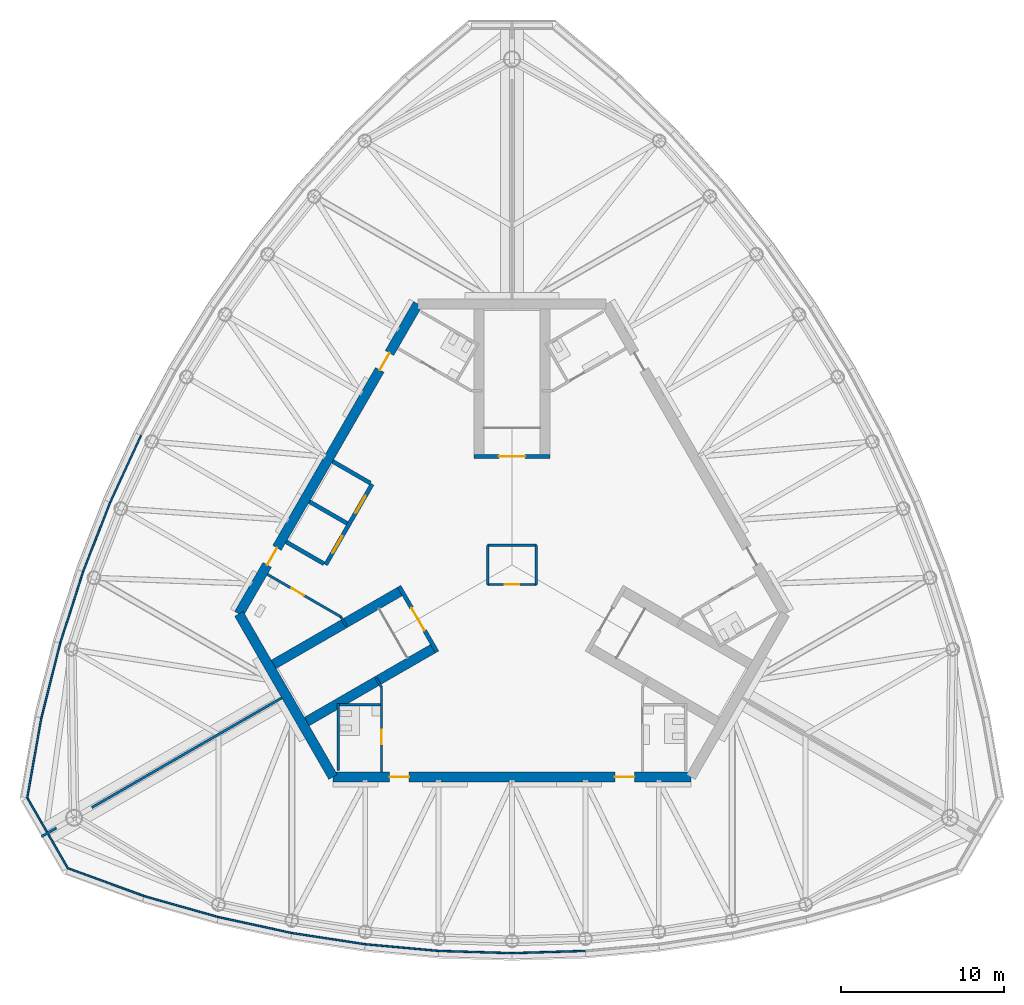
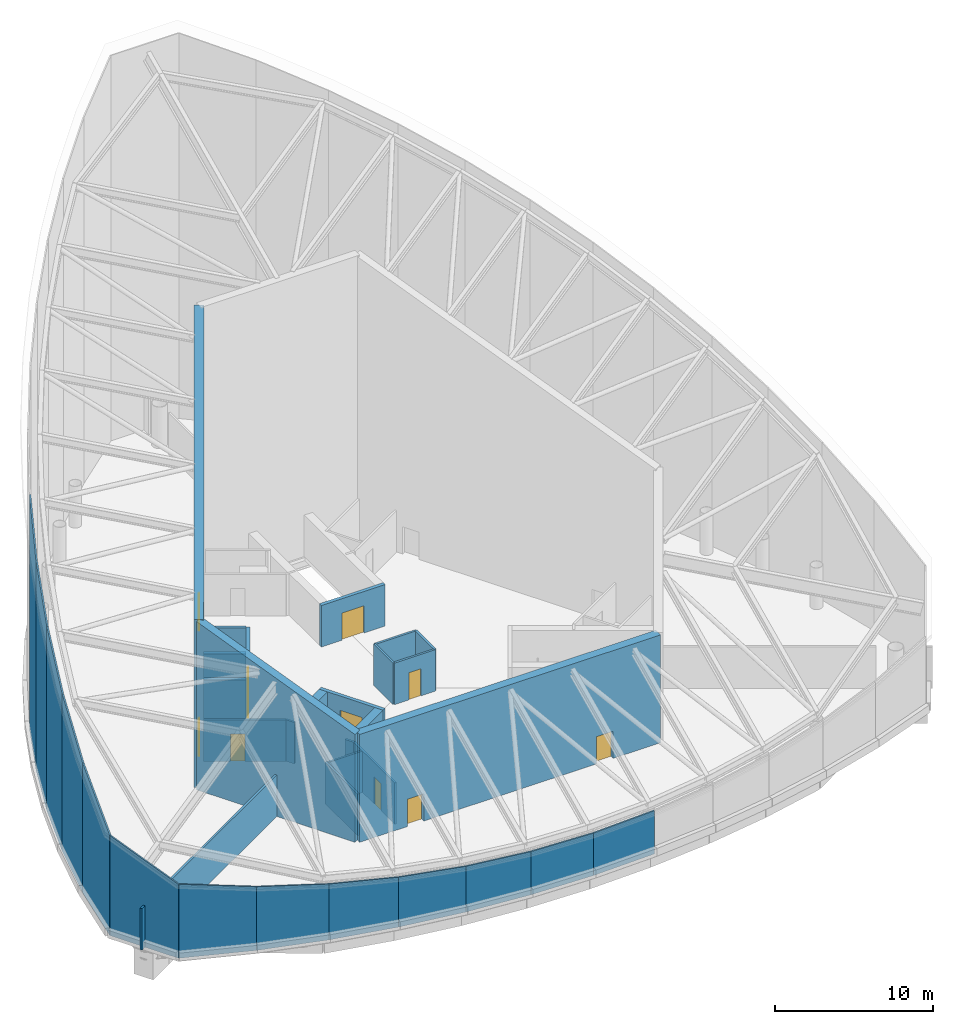
# One storey, part 5 of 10: 36 walls, 11 doors, 11 openings.
"""IFC4 building model written with IfcOpenShell, lengths in metres."""

from ifc_helpers import new_model, si_unit, direction, frame, frame_2d, origin, place, context, subcontext, project, spatial, polyline, rectangle, outline, extrude, material, layer, layer_set, type_object, element, fill, save


model = new_model("IFC4")

# Units and contexts
model_context = context("Model", 3, precision=1e-05, world=origin(), true_north=direction((0.0, 1.0)))
body_context = subcontext(model_context, "Body", "Model", "MODEL_VIEW")
ifc_project = project(units=[si_unit("LENGTHUNIT", "METRE"), si_unit("AREAUNIT", "SQUARE_METRE"), si_unit("VOLUMEUNIT", "CUBIC_METRE"), si_unit("PLANEANGLEUNIT", "RADIAN"), si_unit("MASSUNIT", "GRAM", prefix="KILO")], contexts=[model_context])

# Site, building, storey
site_placement = place(None, origin())
site = spatial("IfcSite", under=ifc_project, at=site_placement, CompositionType="ELEMENT")
building_placement = place(site_placement, origin())
building = spatial("IfcBuilding", under=site, at=building_placement, Name="Trefoil Bronze Tower", CompositionType="ELEMENT")
storey_placement = place(building_placement, frame((0.0, 0.0, 328.5)))
storey = spatial("IfcBuildingStorey", under=building, at=storey_placement, Name="RF", CompositionType="ELEMENT", Elevation=328.5)

# Wall, openings, doors
ifc_material_1 = material(Name="Concrete B80", Category="concrete")
ifc_layer_1 = layer(ifc_material_1, 0.60009765625)
ifc_layer_set_1 = layer_set([ifc_layer_1], Name="Core wall 600")
wall_type_1 = type_object("IfcWallType", Name="Core wall 600", PredefinedType="SHEAR", material=ifc_layer_set_1)
wall_1_placement = place(storey_placement, frame((-10.9697265625, -13.0, 0.0), z_axis=(0.0, 0.0, 1.0), x_axis=(1.0, 0.0, 0.0)))
wall_1 = element("IfcWall", 1, at=wall_1_placement, inside=storey, type_object=wall_type_1, Name="Core long wall 1 RF", PredefinedType="SHEAR", context=body_context, shape_type="SweptSolid", body=[
    extrude(outline(polyline([(0.0, 0.0), (21.939453125, 0.0), (21.939208984375, 8.310302734375), (0.0, 8.310302734375), (0.0, 0.0)])), frame((0.0, 0.300048828125, 0.0), z_axis=(0.0, -1.0, 0.0), x_axis=(1.0, 0.0, 0.0)), (0.0, 0.0, 1.0), 0.60009765625),
])
opening_1_placement = place(wall_1_placement, frame((17.269775390625, 0.0, 0.0)))
opening_1 = element("IfcOpeningElement", 2, at=opening_1_placement, cuts=wall_1, Name="Opening D2", PredefinedType="OPENING", context=body_context, shape_type="SweptSolid", body=[
    extrude(rectangle(XDim=1.199951171875, YDim=2.10009765625, at=frame_2d((0.60009765625, 1.050048828125))), frame((0.0, 0.31005859375, 0.0), z_axis=(0.0, -1.0, 0.0), x_axis=(1.0, 0.0, 0.0)), (0.0, 0.0, 1.0), 0.6201171875),
])
opening_2_placement = place(wall_1_placement, frame((3.4697265625, 0.0, 0.0)))
opening_2 = element("IfcOpeningElement", 3, at=opening_2_placement, cuts=wall_1, Name="Opening D2", PredefinedType="OPENING", context=body_context, shape_type="SweptSolid", body=[
    extrude(rectangle(XDim=1.199951171875, YDim=2.10009765625, at=frame_2d((0.60009765625, 1.050048828125))), frame((0.0, 0.31005859375, 0.0), z_axis=(0.0, -1.0, 0.0), x_axis=(1.0, 0.0, 0.0)), (0.0, 0.0, 1.0), 0.6201171875),
])
ifc_material_2 = material(Name="Steel door", Category="steel")
door_type_1 = type_object("IfcDoorType", Name="Lobby door 1200", OperationType="SINGLE_SWING_RIGHT", PredefinedType="DOOR", material=ifc_material_2)
door_1_placement = place(opening_1_placement, origin())
door_1 = element("IfcDoor", 4, at=door_1_placement, inside=storey, type_object=door_type_1, Name="Lobby door F1+ RF", OperationType="SINGLE_SWING_RIGHT", OverallHeight=2.10009765625, OverallWidth=1.199951171875, PredefinedType="DOOR", context=body_context, shape_type="SweptSolid", body=[
    extrude(rectangle(XDim=1.199951171875, YDim=2.10009765625, at=frame_2d((0.60009765625, 1.050048828125))), frame((0.0, 0.02490234375, 0.0), z_axis=(0.0, -1.0, 0.0), x_axis=(1.0, 0.0, 0.0)), (0.0, 0.0, 1.0), 0.050048828125),
])
fill(opening_1, door_1)
door_2_placement = place(opening_2_placement, origin())
door_2 = element("IfcDoor", 5, at=door_2_placement, inside=storey, type_object=door_type_1, Name="Lobby door F1- RF", OperationType="SINGLE_SWING_LEFT", OverallHeight=2.10009765625, OverallWidth=1.199951171875, PredefinedType="DOOR", context=body_context, shape_type="SweptSolid", body=[
    extrude(rectangle(XDim=1.199951171875, YDim=2.10009765625, at=frame_2d((0.60009765625, 1.050048828125))), frame((0.0, 0.02490234375, 0.0), z_axis=(0.0, -1.0, 0.0), x_axis=(1.0, 0.0, 0.0)), (0.0, 0.0, 1.0), 0.050048828125),
])
fill(opening_2, door_2)

wall_2_placement = place(storey_placement, frame((-5.7734375, 16.0, 0.0), z_axis=(0.0, 0.0, 1.0), x_axis=(-0.500002442456, -0.866023993627, 0.0)))
wall_2 = element("IfcWall", 6, at=wall_2_placement, inside=storey, type_object=wall_type_1, Name="Core long wall 3 RF", PredefinedType="SHEAR", context=body_context, shape_type="SweptSolid", body=[
    extrude(outline(polyline([(0.0, 0.0), (21.939453125, 0.0), (21.939208984375, 12.97314453125), (0.0, 21.8330078125), (0.0, 0.0)])), frame((0.0, 0.300048828125, 0.0), z_axis=(0.0, -1.0, 0.0), x_axis=(1.0, 0.0, 0.0)), (0.0, 0.0, 1.0), 0.60009765625),
])
opening_3_placement = place(wall_2_placement, frame((17.269775390625, 0.0, 0.0)))
opening_3 = element("IfcOpeningElement", 7, at=opening_3_placement, cuts=wall_2, Name="Opening D2", PredefinedType="OPENING", context=body_context, shape_type="SweptSolid", body=[
    extrude(rectangle(XDim=1.199951171875, YDim=2.10009765625, at=frame_2d((0.60009765625, 1.050048828125))), frame((0.0, 0.31005859375, 0.0), z_axis=(0.0, -1.0, 0.0), x_axis=(1.0, 0.0, 0.0)), (0.0, 0.0, 1.0), 0.6201171875),
])
opening_4_placement = place(wall_2_placement, frame((3.4697265625, 0.0, 0.0)))
opening_4 = element("IfcOpeningElement", 8, at=opening_4_placement, cuts=wall_2, Name="Opening D2", PredefinedType="OPENING", context=body_context, shape_type="SweptSolid", body=[
    extrude(rectangle(XDim=1.199951171875, YDim=2.10009765625, at=frame_2d((0.60009765625, 1.050048828125))), frame((0.0, 0.31005859375, 0.0), z_axis=(0.0, -1.0, 0.0), x_axis=(1.0, 0.0, 0.0)), (0.0, 0.0, 1.0), 0.6201171875),
])
door_3_placement = place(opening_3_placement, origin())
door_3 = element("IfcDoor", 9, at=door_3_placement, inside=storey, type_object=door_type_1, Name="Lobby door F3+ RF", OperationType="SINGLE_SWING_RIGHT", OverallHeight=2.10009765625, OverallWidth=1.199951171875, PredefinedType="DOOR", context=body_context, shape_type="SweptSolid", body=[
    extrude(rectangle(XDim=1.199951171875, YDim=2.10009765625, at=frame_2d((0.60009765625, 1.050048828125))), frame((0.0, 0.02490234375, 0.0), z_axis=(0.0, -1.0, 0.0), x_axis=(1.0, 0.0, 0.0)), (0.0, 0.0, 1.0), 0.050048828125),
])
fill(opening_3, door_3)
door_4_placement = place(opening_4_placement, origin())
door_4 = element("IfcDoor", 10, at=door_4_placement, inside=storey, type_object=door_type_1, Name="Lobby door F3- RF", OperationType="SINGLE_SWING_LEFT", OverallHeight=2.10009765625, OverallWidth=1.199951171875, PredefinedType="DOOR", context=body_context, shape_type="SweptSolid", body=[
    extrude(rectangle(XDim=1.199951171875, YDim=2.10009765625, at=frame_2d((0.60009765625, 1.050048828125))), frame((0.0, 0.02490234375, 0.0), z_axis=(0.0, -1.0, 0.0), x_axis=(1.0, 0.0, 0.0)), (0.0, 0.0, 1.0), 0.050048828125),
])
fill(opening_4, door_4)

# Walls
wall_3_placement = place(storey_placement, frame((-16.7431640625, -3.0, 0.0), z_axis=(0.0, 0.0, 1.0), x_axis=(0.499995765644, -0.866027848477, 0.0)))
element("IfcWall", 11, at=wall_3_placement, inside=storey, type_object=wall_type_1, Name="Core short wall 3 RF", PredefinedType="SHEAR", context=body_context, shape_type="SweptSolid", body=[
    extrude(outline(polyline([(0.0, 0.0), (11.546875, 0.0), (11.547119140625, 8.310302734375), (0.0, 12.97314453125), (0.0, 0.0)])), frame((0.0, 0.300048828125, 0.0), z_axis=(0.0, -1.0, 0.0), x_axis=(1.0, 0.0, 0.0)), (0.0, 0.0, 1.0), 0.60009765625),
])
ifc_material_3 = material(Name="Perforated bronze sheet", Category="bronze")
ifc_layer_2 = layer(ifc_material_3, 0.10009765625)
ifc_layer_set_2 = layer_set([ifc_layer_2], Name="Crown screen wall 100")
wall_type_2 = type_object("IfcWallType", Name="Crown screen wall 100", PredefinedType="USERDEFINED", material=ifc_layer_set_2)
wall_4_placement = place(storey_placement, frame((-22.54833984375, -20.301513671875, 0.0), z_axis=(0.0, 0.0, 1.0), x_axis=(0.962092857379, -0.272722081579, 0.0)))
element("IfcWall", 12, at=wall_4_placement, inside=storey, type_object=wall_type_2, Name="Crown screen wall 1", ObjectType="SCREEN", PredefinedType="USERDEFINED", context=body_context, shape_type="SweptSolid", body=[
    extrude(outline(polyline([(0.0, 0.0), (4.7275390625, 0.0), (4.7275390625, 4.30419921875), (0.0, 4.9052734375), (0.0, 0.0)])), frame((0.0, 0.050048828125, 0.0), z_axis=(0.0, -1.0, 0.0), x_axis=(1.0, 0.0, 0.0)), (0.0, 0.0, 1.0), 0.10009765625),
])
wall_5_placement = place(storey_placement, frame((-18.0, -21.5908203125, 0.0), z_axis=(0.0, 0.0, 1.0), x_axis=(0.977307775185, -0.211824249233, 0.0)))
element("IfcWall", 13, at=wall_5_placement, inside=storey, type_object=wall_type_2, Name="Crown screen wall 2", ObjectType="SCREEN", PredefinedType="USERDEFINED", context=body_context, shape_type="SweptSolid", body=[
    extrude(outline(polyline([(0.0, 0.0), (4.6044921875, 0.0), (4.6044921875, 3.849365234375), (0.0, 4.30419921875), (0.0, 0.0)])), frame((0.0, 0.050048828125, 0.0), z_axis=(0.0, -1.0, 0.0), x_axis=(1.0, 0.0, 0.0)), (0.0, 0.0, 1.0), 0.10009765625),
])
wall_6_placement = place(storey_placement, frame((-13.5, -22.566162109375, 0.0), z_axis=(0.0, 0.0, 1.0), x_axis=(0.988481794406, -0.151339823341, 0.0)))
element("IfcWall", 14, at=wall_6_placement, inside=storey, type_object=wall_type_2, Name="Crown screen wall 3", ObjectType="SCREEN", PredefinedType="USERDEFINED", context=body_context, shape_type="SweptSolid", body=[
    extrude(outline(polyline([(0.0, 0.0), (4.552490234375, 0.0), (4.552490234375, 3.528076171875), (0.0, 3.849365234375), (0.0, 0.0)])), frame((0.0, 0.050048828125, 0.0), z_axis=(0.0, -1.0, 0.0), x_axis=(1.0, 0.0, 0.0)), (0.0, 0.0, 1.0), 0.10009765625),
])
wall_7_placement = place(storey_placement, frame((-9.0, -23.255126953125, 0.0), z_axis=(0.0, 0.0, 1.0), x_axis=(0.995871921504, -0.090769576179, 0.0)))
element("IfcWall", 15, at=wall_7_placement, inside=storey, type_object=wall_type_2, Name="Crown screen wall 4", ObjectType="SCREEN", PredefinedType="USERDEFINED", context=body_context, shape_type="SweptSolid", body=[
    extrude(outline(polyline([(0.0, 0.0), (4.5185546875, 0.0), (4.5185546875, 3.3369140625), (0.0, 3.528076171875), (0.0, 0.0)])), frame((0.0, 0.050048828125, 0.0), z_axis=(0.0, -1.0, 0.0), x_axis=(1.0, 0.0, 0.0)), (0.0, 0.0, 1.0), 0.10009765625),
])
wall_8_placement = place(storey_placement, frame((-4.5, -23.665283203125, 0.0), z_axis=(0.0, 0.0, 1.0), x_axis=(0.999542074227, -0.030259574513, 0.0)))
element("IfcWall", 16, at=wall_8_placement, inside=storey, type_object=wall_type_2, Name="Crown screen wall 5", ObjectType="SCREEN", PredefinedType="USERDEFINED", context=body_context, shape_type="SweptSolid", body=[
    extrude(outline(polyline([(0.0, 0.0), (4.501953125, 0.0), (4.501953125, 3.273193359375), (0.0, 3.3369140625), (0.0, 0.0)])), frame((0.0, 0.050048828125, 0.0), z_axis=(0.0, -1.0, 0.0), x_axis=(1.0, 0.0, 0.0)), (0.0, 0.0, 1.0), 0.10009765625),
])
wall_9_placement = place(storey_placement, frame((0.0, -23.801513671875, 0.0), z_axis=(0.0, 0.0, 1.0), x_axis=(0.999542074227, 0.030259574513, 0.0)))
element("IfcWall", 17, at=wall_9_placement, inside=storey, type_object=wall_type_2, Name="Crown screen wall 6", ObjectType="SCREEN", PredefinedType="USERDEFINED", context=body_context, shape_type="SweptSolid", body=[
    extrude(outline(polyline([(0.0, 0.0), (4.501953125, 0.0), (4.501953125, 3.3369140625), (0.0, 3.273193359375), (0.0, 0.0)])), frame((0.0, 0.050048828125, 0.0), z_axis=(0.0, -1.0, 0.0), x_axis=(1.0, 0.0, 0.0)), (0.0, 0.0, 1.0), 0.10009765625),
])
wall_10_placement = place(storey_placement, frame((-22.744873046875, 7.935546875, 0.0), z_axis=(0.0, 0.0, 1.0), x_axis=(-0.419270595022, -0.907861315483, 0.0)))
element("IfcWall", 18, at=wall_10_placement, inside=storey, type_object=wall_type_2, Name="Crown screen wall 33", ObjectType="SCREEN", PredefinedType="USERDEFINED", context=body_context, shape_type="SweptSolid", body=[
    extrude(outline(polyline([(0.0, 0.0), (4.5185546875, 0.0), (4.5185546875, 16.15966796875), (0.0, 18.072509765625), (0.0, 0.0)])), frame((0.0, 0.050048828125, 0.0), z_axis=(0.0, -1.0, 0.0), x_axis=(1.0, 0.0, 0.0)), (0.0, 0.0, 1.0), 0.10009765625),
])
wall_11_placement = place(storey_placement, frame((-24.639404296875, 3.833251953125, 0.0), z_axis=(0.0, 0.0, 1.0), x_axis=(-0.363230297573, -0.931699388711, 0.0)))
element("IfcWall", 19, at=wall_11_placement, inside=storey, type_object=wall_type_2, Name="Crown screen wall 34", ObjectType="SCREEN", PredefinedType="USERDEFINED", context=body_context, shape_type="SweptSolid", body=[
    extrude(outline(polyline([(0.0, 0.0), (4.552490234375, 0.0), (4.552490234375, 14.181884765625), (0.0, 16.15966796875), (0.0, 0.0)])), frame((0.0, 0.050048828125, 0.0), z_axis=(0.0, -1.0, 0.0), x_axis=(1.0, 0.0, 0.0)), (0.0, 0.0, 1.0), 0.10009765625),
])
wall_12_placement = place(storey_placement, frame((-26.29296875, -0.408203125, 0.0), z_axis=(0.0, 0.0, 1.0), x_axis=(-0.305198955544, -0.952288610419, 0.0)))
element("IfcWall", 20, at=wall_12_placement, inside=storey, type_object=wall_type_2, Name="Crown screen wall 35", ObjectType="SCREEN", PredefinedType="USERDEFINED", context=body_context, shape_type="SweptSolid", body=[
    extrude(outline(polyline([(0.0, 0.0), (4.6044921875, 0.0), (4.6044921875, 12.13720703125), (0.0, 14.181884765625), (0.0, 0.0)])), frame((0.0, 0.050048828125, 0.0), z_axis=(0.0, -1.0, 0.0), x_axis=(1.0, 0.0, 0.0)), (0.0, 0.0, 1.0), 0.10009765625),
])
wall_13_placement = place(storey_placement, frame((-27.6982421875, -4.79296875, 0.0), z_axis=(0.0, 0.0, 1.0), x_axis=(-0.244880009949, -0.969553392407, 0.0)))
element("IfcWall", 21, at=wall_13_placement, inside=storey, type_object=wall_type_2, Name="Crown screen wall 36", ObjectType="SCREEN", PredefinedType="USERDEFINED", context=body_context, shape_type="SweptSolid", body=[
    extrude(outline(polyline([(0.0, 0.0), (4.727783203125, 0.0), (4.7275390625, 9.999755859375), (0.0, 12.13720703125), (0.0, 0.0)])), frame((0.0, 0.050048828125, 0.0), z_axis=(0.0, -1.0, 0.0), x_axis=(1.0, 0.0, 0.0)), (0.0, 0.0, 1.0), 0.10009765625),
])
wall_14_placement = place(storey_placement, frame((-28.85595703125, -9.376708984375, 0.0), z_axis=(0.0, 0.0, 1.0), x_axis=(-0.173625981998, -0.98481166645, 0.0)))
element("IfcWall", 22, at=wall_14_placement, inside=storey, type_object=wall_type_2, Name="Crown screen wall 37", ObjectType="SCREEN", PredefinedType="USERDEFINED", context=body_context, shape_type="SweptSolid", body=[
    extrude(outline(polyline([(0.0, 0.0), (4.98193359375, 0.0), (4.982177734375, 7.7119140625), (0.0, 9.999755859375), (0.0, 0.0)])), frame((0.0, 0.050048828125, 0.0), z_axis=(0.0, -1.0, 0.0), x_axis=(1.0, 0.0, 0.0)), (0.0, 0.0, 1.0), 0.10009765625),
])
wall_15_placement = place(storey_placement, frame((-29.720947265625, -14.282958984375, 0.0), z_axis=(0.0, 0.0, 1.0), x_axis=(0.49998120805, -0.86603625305, 0.0)))
element("IfcWall", 23, at=wall_15_placement, inside=storey, type_object=wall_type_2, Name="Crown screen wall 38", ObjectType="SCREEN", PredefinedType="USERDEFINED", context=body_context, shape_type="SweptSolid", body=[
    extrude(outline(polyline([(0.0, 0.0), (4.982177734375, 0.0), (4.982177734375, 5.699951171875), (0.0, 7.7119140625), (0.0, 0.0)])), frame((0.0, 0.050048828125, 0.0), z_axis=(0.0, -1.0, 0.0), x_axis=(1.0, 0.0, 0.0)), (0.0, 0.0, 1.0), 0.10009765625),
])
wall_16_placement = place(storey_placement, frame((-27.22998046875, -18.59765625, 0.0), z_axis=(0.0, 0.0, 1.0), x_axis=(0.939700388428, -0.341998801149, 0.0)))
element("IfcWall", 24, at=wall_16_placement, inside=storey, type_object=wall_type_2, Name="Crown screen wall 39", ObjectType="SCREEN", PredefinedType="USERDEFINED", context=body_context, shape_type="SweptSolid", body=[
    extrude(outline(polyline([(0.0, 0.0), (4.982177734375, 0.0), (4.982177734375, 4.9052734375), (0.0, 5.699951171875), (0.0, 0.0)])), frame((0.0, 0.050048828125, 0.0), z_axis=(0.0, -1.0, 0.0), x_axis=(1.0, 0.0, 0.0)), (0.0, 0.0, 1.0), 0.10009765625),
])

# Wall, opening, door
ifc_material_4 = material(Name="Gypsum board on steel studs", Category="steel")
ifc_layer_3 = layer(ifc_material_4, 0.14990234375)
ifc_layer_set_3 = layer_set([ifc_layer_3], Name="Partition 150")
wall_type_3 = type_object("IfcWallType", Name="Partition 150", PredefinedType="PARTITIONING", material=ifc_layer_set_3)
wall_17_placement = place(storey_placement, frame((-8.0, -7.5, 0.0), z_axis=(0.0, 0.0, 1.0), x_axis=(0.0, -1.0, 0.0)))
wall_17 = element("IfcWall", 25, at=wall_17_placement, inside=storey, type_object=wall_type_3, Name="Passage wall F1- RF", PredefinedType="PARTITIONING", context=body_context, shape_type="SweptSolid", body=[
    extrude(rectangle(XDim=5.199951171875, YDim=0.14990234375, at=frame_2d((2.60009765625, 0.0))), origin(), (0.0, 0.0, 1.0), 3.199951171875),
])
opening_5_placement = place(wall_17_placement, frame((2.60009765625, 0.0, 0.0)))
opening_5 = element("IfcOpeningElement", 26, at=opening_5_placement, cuts=wall_17, Name="Opening D3", PredefinedType="OPENING", context=body_context, shape_type="SweptSolid", body=[
    extrude(rectangle(XDim=0.89990234375, YDim=2.10009765625, at=frame_2d((0.449951171875, 1.050048828125))), frame((0.0, 0.0849609375, 0.0), z_axis=(0.0, -1.0, 0.0), x_axis=(1.0, 0.0, 0.0)), (0.0, 0.0, 1.0), 0.169921875),
])
ifc_material_5 = material(Name="Timber door", Category="wood")
door_type_2 = type_object("IfcDoorType", Name="WC door 900", OperationType="SINGLE_SWING_LEFT", PredefinedType="DOOR", material=ifc_material_5)
door_5_placement = place(opening_5_placement, frame((0.89990234375, 0.0, 0.0), z_axis=(0.0, 0.0, 1.0), x_axis=(-1.0, 0.0, 0.0)))
door_5 = element("IfcDoor", 27, at=door_5_placement, inside=storey, type_object=door_type_2, Name="WC (women) door RF", OperationType="SINGLE_SWING_RIGHT", OverallHeight=2.10009765625, OverallWidth=0.89990234375, PredefinedType="DOOR", context=body_context, shape_type="SweptSolid", body=[
    extrude(rectangle(XDim=0.89990234375, YDim=2.10009765625, at=frame_2d((0.449951171875, 1.050048828125))), frame((0.0, 0.02490234375, 0.0), z_axis=(0.0, -1.0, 0.0), x_axis=(1.0, 0.0, 0.0)), (0.0, 0.0, 1.0), 0.050048828125),
])
fill(opening_5, door_5)

wall_18_placement = place(storey_placement, frame((-10.4951171875, -3.17822265625, 0.0), z_axis=(0.0, 0.0, 1.0), x_axis=(-0.866021400173, 0.500006934395, 0.0)))
wall_18 = element("IfcWall", 28, at=wall_18_placement, inside=storey, type_object=wall_type_3, Name="Passage wall F3+ RF", PredefinedType="PARTITIONING", context=body_context, shape_type="SweptSolid", body=[
    extrude(rectangle(XDim=5.2001953125, YDim=0.14990234375, at=frame_2d((2.60009765625, 0.0))), origin(), (0.0, 0.0, 1.0), 3.199951171875),
])
opening_6_placement = place(wall_18_placement, frame((2.60009765625, 0.0, 0.0)))
opening_6 = element("IfcOpeningElement", 29, at=opening_6_placement, cuts=wall_18, Name="Opening D3", PredefinedType="OPENING", context=body_context, shape_type="SweptSolid", body=[
    extrude(rectangle(XDim=0.89990234375, YDim=2.10009765625, at=frame_2d((0.449951171875, 1.050048828125))), frame((0.0, 0.0849609375, 0.0), z_axis=(0.0, -1.0, 0.0), x_axis=(1.0, 0.0, 0.0)), (0.0, 0.0, 1.0), 0.169921875),
])
door_6_placement = place(opening_6_placement, origin())
door_6 = element("IfcDoor", 30, at=door_6_placement, inside=storey, type_object=door_type_2, Name="Accessible WC door RF", OperationType="SINGLE_SWING_RIGHT", OverallHeight=2.10009765625, OverallWidth=0.89990234375, PredefinedType="DOOR", context=body_context, shape_type="SweptSolid", body=[
    extrude(rectangle(XDim=0.89990234375, YDim=2.10009765625, at=frame_2d((0.449951171875, 1.050048828125))), frame((0.0, 0.02490234375, 0.0), z_axis=(0.0, -1.0, 0.0), x_axis=(1.0, 0.0, 0.0)), (0.0, 0.0, 1.0), 0.050048828125),
])
fill(opening_6, door_6)

# Walls
for number, where, z_axis, x_axis, name in (
    (31, (-10.4951171875, -3.17822265625, 0.0), (0.0, 0.0, 1.0), (0.499842556608, -0.866116284689, 0.0), "WC wall ST3-1 RF"),
    (32, (-8.0, -7.5, 0.0), (0.0, 0.0, 1.0), (-0.499842556608, 0.866116284689, 0.0), "WC wall ST3+1 RF"),
):
    element("IfcWall", number, at=place(storey_placement, frame(where, z_axis=z_axis, x_axis=x_axis)), inside=storey, type_object=wall_type_3, Name=name, PredefinedType="PARTITIONING", context=body_context, shape_type="SweptSolid", body=[
        extrude(rectangle(XDim=0.645263671875, YDim=0.14990234375, at=frame_2d((0.32275390625, 0.0))), origin(), (0.0, 0.0, 1.0), 3.199951171875),
    ])
wall_19_placement = place(storey_placement, frame((-10.659912109375, -8.5, 0.0), z_axis=(0.0, 0.0, 1.0), x_axis=(0.0, -1.0, 0.0)))
element("IfcWall", 33, at=wall_19_placement, inside=storey, type_object=wall_type_3, Name="WC partition WC (women) RF", PredefinedType="PARTITIONING", context=body_context, shape_type="SweptSolid", body=[
    extrude(rectangle(XDim=4.10009765625, YDim=0.14990234375, at=frame_2d((2.050048828125, 0.0))), origin(), (0.0, 0.0, 1.0), 3.199951171875),
])
wall_20_placement = place(storey_placement, frame((-8.074951171875, -8.574951171875, 0.0), z_axis=(0.0, 0.0, 1.0), x_axis=(-1.0, 0.0, 0.0)))
element("IfcWall", 34, at=wall_20_placement, inside=storey, type_object=wall_type_3, Name="WC partition WC (women) RF", PredefinedType="PARTITIONING", context=body_context, shape_type="SweptSolid", body=[
    extrude(rectangle(XDim=2.510009765625, YDim=0.14990234375, at=frame_2d((1.2548828125, 0.0))), origin(), (0.0, 0.0, 1.0), 3.199951171875),
])
ifc_material_6 = material(Name="Gypsum board on steel studs", Category="steel")
ifc_layer_4 = layer(ifc_material_6, 0.14990234375)
ifc_layer_set_4 = layer_set([ifc_layer_4], Name="Party wall 150")
wall_type_4 = type_object("IfcWallType", Name="Party wall 150", PredefinedType="PARTITIONING", material=ifc_layer_set_4)
wall_21_placement = place(storey_placement, frame((-14.1162109375, -8.14990234375, 0.0), z_axis=(0.0, 0.0, 1.0), x_axis=(-0.866020541135, -0.500008422262, 0.0)))
element("IfcWall", 35, at=wall_21_placement, inside=storey, type_object=wall_type_4, Name="Party wall K3 RF", PredefinedType="PARTITIONING", context=body_context, shape_type="SweptSolid", body=[
    extrude(rectangle(XDim=13.449951171875, YDim=0.14990234375, at=frame_2d((6.72509765625, 0.0))), origin(), (0.0, 0.0, 1.0), 3.199951171875),
])
wall_22_placement = place(storey_placement, frame((-27.92919921875, -16.125, 0.0), z_axis=(0.0, 0.0, 1.0), x_axis=(-0.866086810508, -0.499893625349, 0.0)))
element("IfcWall", 36, at=wall_22_placement, inside=storey, type_object=wall_type_4, Name="Party wall K3 RF", PredefinedType="PARTITIONING", context=body_context, shape_type="SweptSolid", body=[
    extrude(rectangle(XDim=1.070068359375, YDim=0.14990234375, at=frame_2d((0.53515625, 0.0))), origin(), (0.0, 0.0, 1.0), 3.199951171875),
])

# Wall, opening, door
ifc_material_7 = material(Name="Gypsum board on steel studs", Category="steel")
ifc_layer_5 = layer(ifc_material_7, 0.14990234375)
ifc_layer_set_5 = layer_set([ifc_layer_5], Name="Riser wall 150")
wall_type_5 = type_object("IfcWallType", Name="Riser wall 150", PredefinedType="PARTITIONING", material=ifc_layer_set_5)
wall_23_placement = place(storey_placement, frame((-1.5, -1.199951171875, 0.0), z_axis=(0.0, 0.0, 1.0), x_axis=(1.0, 0.0, 0.0)))
wall_23 = element("IfcWall", 37, at=wall_23_placement, inside=storey, type_object=wall_type_5, Name="Riser wall RF", PredefinedType="PARTITIONING", context=body_context, shape_type="SweptSolid", body=[
    extrude(rectangle(XDim=3.0, YDim=0.14990234375, at=frame_2d((1.5, 0.0))), origin(), (0.0, 0.0, 1.0), 3.199951171875),
])
opening_7_placement = place(wall_23_placement, frame((1.050048828125, 0.0, 0.0)))
opening_7 = element("IfcOpeningElement", 38, at=opening_7_placement, cuts=wall_23, Name="Opening D4", PredefinedType="OPENING", context=body_context, shape_type="SweptSolid", body=[
    extrude(rectangle(XDim=0.89990234375, YDim=2.10009765625, at=frame_2d((0.449951171875, 1.050048828125))), frame((0.0, 0.0849609375, 0.0), z_axis=(0.0, -1.0, 0.0), x_axis=(1.0, 0.0, 0.0)), (0.0, 0.0, 1.0), 0.169921875),
])
ifc_material_8 = material(Name="Steel door", Category="steel")
door_type_3 = type_object("IfcDoorType", Name="Riser door 900", OperationType="SINGLE_SWING_LEFT", PredefinedType="DOOR", material=ifc_material_8)
door_7_placement = place(opening_7_placement, frame((0.89990234375, 0.0, 0.0), z_axis=(0.0, 0.0, 1.0), x_axis=(-1.0, 0.0, 0.0)))
door_7 = element("IfcDoor", 39, at=door_7_placement, inside=storey, type_object=door_type_3, Name="Riser door RF", OperationType="SINGLE_SWING_LEFT", OverallHeight=2.10009765625, OverallWidth=0.89990234375, PredefinedType="DOOR", context=body_context, shape_type="SweptSolid", body=[
    extrude(rectangle(XDim=0.89990234375, YDim=2.10009765625, at=frame_2d((0.449951171875, 1.050048828125))), frame((0.0, 0.02490234375, 0.0), z_axis=(0.0, -1.0, 0.0), x_axis=(1.0, 0.0, 0.0)), (0.0, 0.0, 1.0), 0.050048828125),
])
fill(opening_7, door_7)

# Walls
wall_24_placement = place(storey_placement, frame((1.5, -1.199951171875, 0.0), z_axis=(0.0, 0.0, 1.0), x_axis=(0.0, 1.0, 0.0)))
element("IfcWall", 40, at=wall_24_placement, inside=storey, type_object=wall_type_5, Name="Riser wall RF", PredefinedType="PARTITIONING", context=body_context, shape_type="SweptSolid", body=[
    extrude(rectangle(XDim=2.39990234375, YDim=0.14990234375, at=frame_2d((1.199951171875, 0.0))), origin(), (0.0, 0.0, 1.0), 3.199951171875),
])
wall_25_placement = place(storey_placement, frame((1.5, 1.199951171875, 0.0), z_axis=(0.0, 0.0, 1.0), x_axis=(-1.0, 0.0, 0.0)))
element("IfcWall", 41, at=wall_25_placement, inside=storey, type_object=wall_type_5, Name="Riser wall RF", PredefinedType="PARTITIONING", context=body_context, shape_type="SweptSolid", body=[
    extrude(rectangle(XDim=3.0, YDim=0.14990234375, at=frame_2d((1.5, 0.0))), origin(), (0.0, 0.0, 1.0), 3.199951171875),
])
wall_26_placement = place(storey_placement, frame((-1.5, 1.199951171875, 0.0), z_axis=(0.0, 0.0, 1.0), x_axis=(0.0, -1.0, 0.0)))
element("IfcWall", 42, at=wall_26_placement, inside=storey, type_object=wall_type_5, Name="Riser wall RF", PredefinedType="PARTITIONING", context=body_context, shape_type="SweptSolid", body=[
    extrude(rectangle(XDim=2.39990234375, YDim=0.14990234375, at=frame_2d((1.199951171875, 0.0))), origin(), (0.0, 0.0, 1.0), 3.199951171875),
])

# Wall, openings, doors
ifc_material_9 = material(Name="Concrete B80", Category="concrete")
ifc_layer_6 = layer(ifc_material_9, 0.25)
ifc_layer_set_6 = layer_set([ifc_layer_6], Name="Shaft wall 250")
wall_type_6 = type_object("IfcWallType", Name="Shaft wall 250", PredefinedType="SHEAR", material=ifc_layer_set_6)
wall_27_placement = place(storey_placement, frame((-8.57373046875, 4.949951171875, 0.0), z_axis=(0.0, 0.0, 1.0), x_axis=(-0.49998570155, -0.866033658841, 0.0)))
wall_27 = element("IfcWall", 43, at=wall_27_placement, inside=storey, type_object=wall_type_6, Name="Lift shaft front wall C RF", PredefinedType="SHEAR", context=body_context, shape_type="SweptSolid", body=[
    extrude(rectangle(XDim=5.699951171875, YDim=0.25, at=frame_2d((2.85009765625, 0.0))), origin(), (0.0, 0.0, 1.0), 4.699951171875),
])
opening_8_placement = place(wall_27_placement, frame((0.824951171875, 0.0, 0.0)))
opening_8 = element("IfcOpeningElement", 44, at=opening_8_placement, cuts=wall_27, Name="Opening LD-FL1", PredefinedType="OPENING", context=body_context, shape_type="SweptSolid", body=[
    extrude(rectangle(XDim=1.199951171875, YDim=2.199951171875, at=frame_2d((0.60009765625, 1.10009765625))), frame((0.0, 0.135009765625, 0.0), z_axis=(0.0, -1.0, 0.0), x_axis=(1.0, 0.0, 0.0)), (0.0, 0.0, 1.0), 0.27001953125),
])
opening_9_placement = place(wall_27_placement, frame((3.675048828125, 0.0, 0.0)))
opening_9 = element("IfcOpeningElement", 45, at=opening_9_placement, cuts=wall_27, Name="Opening LD-FL2", PredefinedType="OPENING", context=body_context, shape_type="SweptSolid", body=[
    extrude(rectangle(XDim=1.199951171875, YDim=2.199951171875, at=frame_2d((0.60009765625, 1.10009765625))), frame((0.0, 0.135009765625, 0.0), z_axis=(0.0, -1.0, 0.0), x_axis=(1.0, 0.0, 0.0)), (0.0, 0.0, 1.0), 0.27001953125),
])
ifc_material_10 = material(Name="Steel door", Category="steel")
door_type_4 = type_object("IfcDoorType", Name="Lift landing door 1200", OperationType="DOUBLE_DOOR_SLIDING", PredefinedType="DOOR", material=ifc_material_10)
door_8_placement = place(opening_8_placement, origin())
door_8 = element("IfcDoor", 46, at=door_8_placement, inside=storey, type_object=door_type_4, Name="Lift FL1 landing door RF", OperationType="DOUBLE_DOOR_SLIDING", OverallHeight=2.199951171875, OverallWidth=1.199951171875, PredefinedType="DOOR", context=body_context, shape_type="SweptSolid", body=[
    extrude(rectangle(XDim=1.199951171875, YDim=2.199951171875, at=frame_2d((0.60009765625, 1.10009765625))), frame((0.0, 0.02490234375, 0.0), z_axis=(0.0, -1.0, 0.0), x_axis=(1.0, 0.0, 0.0)), (0.0, 0.0, 1.0), 0.050048828125),
])
fill(opening_8, door_8)
door_9_placement = place(opening_9_placement, origin())
door_9 = element("IfcDoor", 47, at=door_9_placement, inside=storey, type_object=door_type_4, Name="Lift FL2 landing door RF", OperationType="DOUBLE_DOOR_SLIDING", OverallHeight=2.199951171875, OverallWidth=1.199951171875, PredefinedType="DOOR", context=body_context, shape_type="SweptSolid", body=[
    extrude(rectangle(XDim=1.199951171875, YDim=2.199951171875, at=frame_2d((0.60009765625, 1.10009765625))), frame((0.0, 0.02490234375, 0.0), z_axis=(0.0, -1.0, 0.0), x_axis=(1.0, 0.0, 0.0)), (0.0, 0.0, 1.0), 0.050048828125),
])
fill(opening_9, door_9)

# Walls
for number, where, z_axis, x_axis, name in (
    (48, (-8.681884765625, 5.012451171875, 0.0), (0.0, 0.0, 1.0), (-0.866004723184, 0.50003581814, 0.0), "Lift shaft side wall C0 RF"),
    (49, (-10.10693359375, 2.54443359375, 0.0), (0.0, 0.0, 1.0), (-0.86604424267, 0.499967368674, 0.0), "Lift shaft side wall C1 RF"),
    (50, (-11.531982421875, 0.076171875, 0.0), (0.0, 0.0, 1.0), (-0.86604424267, 0.499967368674, 0.0), "Lift shaft side wall C2 RF"),
):
    element("IfcWall", number, at=place(storey_placement, frame(where, z_axis=z_axis, x_axis=x_axis)), inside=storey, type_object=wall_type_6, Name=name, PredefinedType="SHEAR", context=body_context, shape_type="SweptSolid", body=[
        extrude(rectangle(XDim=2.675048828125, YDim=0.25, at=frame_2d((1.33740234375, 0.0))), origin(), (0.0, 0.0, 1.0), 4.699951171875),
    ])

# Wall, opening, door
wall_28_placement = place(storey_placement, frame((2.324951171875, 6.64990234375, 0.0), z_axis=(0.0, 0.0, 1.0), x_axis=(-1.0, 0.0, 0.0)))
wall_28 = element("IfcWall", 51, at=wall_28_placement, inside=storey, type_object=wall_type_6, Name="Stair end wall ST2 RF", PredefinedType="SHEAR", context=body_context, shape_type="SweptSolid", body=[
    extrude(rectangle(XDim=4.64990234375, YDim=0.25, at=frame_2d((2.324951171875, 0.0))), origin(), (0.0, 0.0, 1.0), 3.199951171875),
])
opening_10_placement = place(wall_28_placement, frame((1.52490234375, 0.0, 0.0)))
opening_10 = element("IfcOpeningElement", 52, at=opening_10_placement, cuts=wall_28, Name="Opening D1", PredefinedType="OPENING", context=body_context, shape_type="SweptSolid", body=[
    extrude(rectangle(XDim=1.60009765625, YDim=2.10009765625, at=frame_2d((0.800048828125, 1.050048828125))), frame((0.0, 0.135009765625, 0.0), z_axis=(0.0, -1.0, 0.0), x_axis=(1.0, 0.0, 0.0)), (0.0, 0.0, 1.0), 0.27001953125),
])
ifc_material_11 = material(Name="Steel door", Category="steel")
door_type_5 = type_object("IfcDoorType", Name="Stair door 1600", OperationType="DOUBLE_DOOR_SINGLE_SWING", PredefinedType="DOOR", material=ifc_material_11)
door_10_placement = place(opening_10_placement, frame((1.60009765625, 0.0, 0.0), z_axis=(0.0, 0.0, 1.0), x_axis=(-1.0, 0.0, 0.0)))
door_10 = element("IfcDoor", 53, at=door_10_placement, inside=storey, type_object=door_type_5, Name="Stair door ST2 RF", OperationType="DOUBLE_DOOR_SINGLE_SWING", OverallHeight=2.10009765625, OverallWidth=1.60009765625, PredefinedType="DOOR", context=body_context, shape_type="SweptSolid", body=[
    extrude(rectangle(XDim=1.60009765625, YDim=2.10009765625, at=frame_2d((0.800048828125, 1.050048828125))), frame((0.0, 0.02490234375, 0.0), z_axis=(0.0, -1.0, 0.0), x_axis=(1.0, 0.0, 0.0)), (0.0, 0.0, 1.0), 0.050048828125),
])
fill(opening_10, door_10)

wall_29_placement = place(storey_placement, frame((-6.921630859375, -1.3115234375, 0.0), z_axis=(0.0, 0.0, 1.0), x_axis=(0.499984536904, -0.866034331223, 0.0)))
wall_29 = element("IfcWall", 54, at=wall_29_placement, inside=storey, type_object=wall_type_6, Name="Stair end wall ST3 RF", PredefinedType="SHEAR", context=body_context, shape_type="SweptSolid", body=[
    extrude(rectangle(XDim=4.650146484375, YDim=0.25, at=frame_2d((2.3251953125, 0.0))), origin(), (0.0, 0.0, 1.0), 3.199951171875),
])
opening_11_placement = place(wall_29_placement, frame((1.52490234375, 0.0, 0.0)))
opening_11 = element("IfcOpeningElement", 55, at=opening_11_placement, cuts=wall_29, Name="Opening D1", PredefinedType="OPENING", context=body_context, shape_type="SweptSolid", body=[
    extrude(rectangle(XDim=1.60009765625, YDim=2.10009765625, at=frame_2d((0.800048828125, 1.050048828125))), frame((0.0, 0.135009765625, 0.0), z_axis=(0.0, -1.0, 0.0), x_axis=(1.0, 0.0, 0.0)), (0.0, 0.0, 1.0), 0.27001953125),
])
door_11_placement = place(opening_11_placement, frame((1.60009765625, 0.0, 0.0), z_axis=(0.0, 0.0, 1.0), x_axis=(-1.0, 0.0, 0.0)))
door_11 = element("IfcDoor", 56, at=door_11_placement, inside=storey, type_object=door_type_5, Name="Stair door ST3 RF", OperationType="DOUBLE_DOOR_SINGLE_SWING", OverallHeight=2.10009765625, OverallWidth=1.60009765625, PredefinedType="DOOR", context=body_context, shape_type="SweptSolid", body=[
    extrude(rectangle(XDim=1.60009765625, YDim=2.10009765625, at=frame_2d((0.800048828125, 1.050048828125))), frame((0.0, 0.02490234375, 0.0), z_axis=(0.0, -1.0, 0.0), x_axis=(1.0, 0.0, 0.0)), (0.0, 0.0, 1.0), 0.050048828125),
])
fill(opening_11, door_11)

# Walls
ifc_material_12 = material(Name="Concrete B80", Category="concrete")
ifc_layer_7 = layer(ifc_material_12, 0.60009765625)
ifc_layer_set_7 = layer_set([ifc_layer_7], Name="Stair wall 600")
wall_type_7 = type_object("IfcWallType", Name="Stair wall 600", PredefinedType="SHEAR", material=ifc_layer_set_7)
wall_30_placement = place(storey_placement, frame((-6.663330078125, -1.5087890625, 0.0), z_axis=(0.0, 0.0, 1.0), x_axis=(-0.86603049496, -0.499991181721, 0.0)))
element("IfcWall", 57, at=wall_30_placement, inside=storey, type_object=wall_type_7, Name="Stair wall ST3 RF", PredefinedType="SHEAR", context=body_context, shape_type="SweptSolid", body=[
    extrude(rectangle(XDim=9.175048828125, YDim=0.60009765625, at=frame_2d((4.58740234375, 0.0))), origin(), (0.0, 0.0, 1.0), 3.199951171875),
])
wall_31_placement = place(storey_placement, frame((-4.638427734375, -5.01611328125, 0.0), z_axis=(0.0, 0.0, 1.0), x_axis=(-0.866012320003, -0.50002266109, 0.0)))
element("IfcWall", 58, at=wall_31_placement, inside=storey, type_object=wall_type_7, Name="Stair wall ST3 RF", PredefinedType="SHEAR", context=body_context, shape_type="SweptSolid", body=[
    extrude(rectangle(XDim=9.1748046875, YDim=0.60009765625, at=frame_2d((4.58740234375, 0.0))), origin(), (0.0, 0.0, 1.0), 3.199951171875),
])

save(model, "model.ifc")
